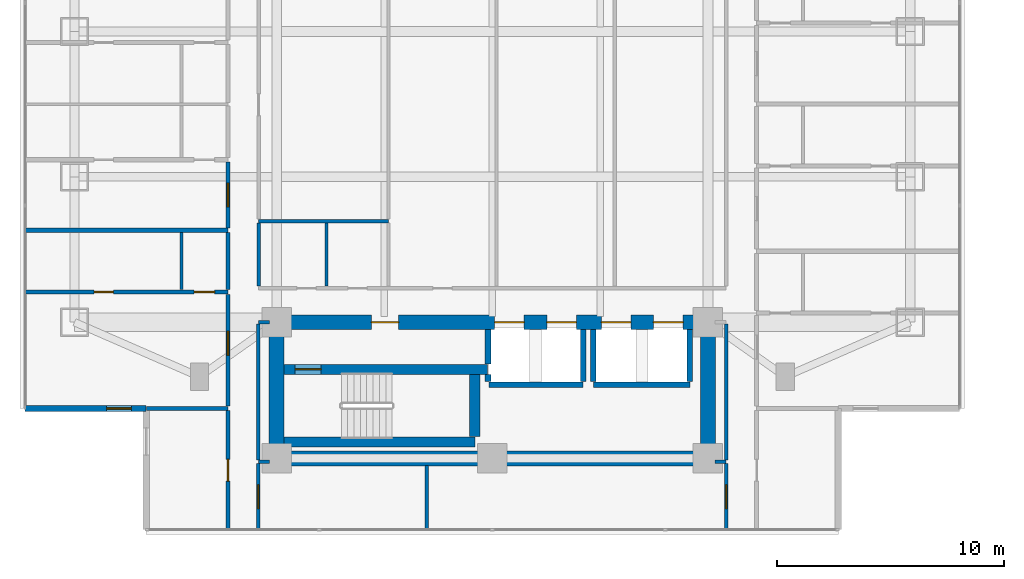
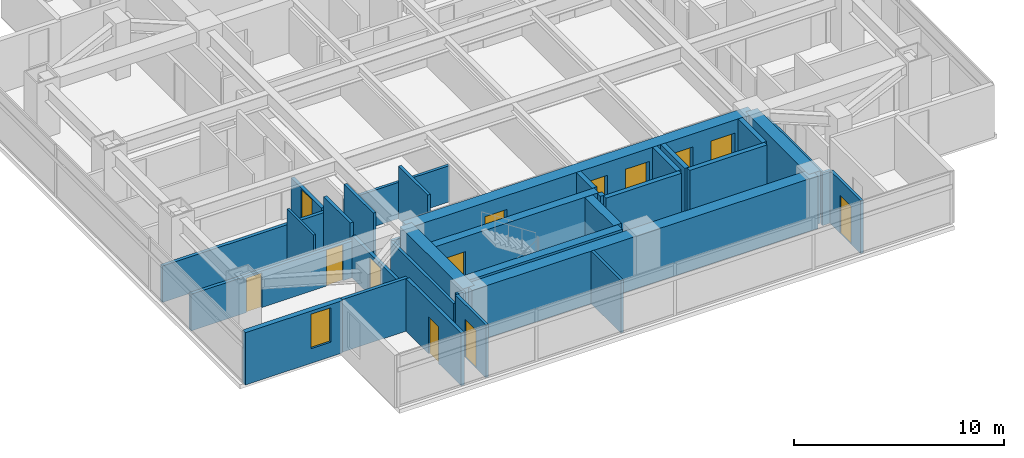
# One storey, part 14 of 27: 34 walls, 13 doors, 1 window, 14 openings.
"""IFC4 building model written with IfcOpenShell, lengths in metres."""

from ifc_helpers import new_model, si_unit, direction, frame, frame_2d, origin, place, context, subcontext, project, spatial, rectangle, extrude, material, layer, layer_set, type_object, element, fill, save


model = new_model("IFC4")

# Units and contexts
model_context = context("Model", 3, precision=1e-05, world=origin(), true_north=direction((0.0, 1.0)))
body_context = subcontext(model_context, "Body", "Model", "MODEL_VIEW")
ifc_project = project(units=[si_unit("LENGTHUNIT", "METRE"), si_unit("AREAUNIT", "SQUARE_METRE"), si_unit("VOLUMEUNIT", "CUBIC_METRE"), si_unit("PLANEANGLEUNIT", "RADIAN"), si_unit("MASSUNIT", "GRAM", prefix="KILO")], contexts=[model_context])

# Site, building, storey
site_placement = place(None, origin())
site = spatial("IfcSite", under=ifc_project, at=site_placement, CompositionType="ELEMENT")
building_placement = place(site_placement, origin())
building = spatial("IfcBuilding", under=site, at=building_placement, Name="Mirazonda Arch Towers", CompositionType="ELEMENT")
storey_placement = place(building_placement, frame((0.0, 0.0, 52.10009765625)))
storey = spatial("IfcBuildingStorey", under=building, at=storey_placement, Name="L14", CompositionType="ELEMENT", Elevation=52.10009765625)

# Wall
ifc_material_1 = material(Name="Concrete C50/60", Category="concrete")
ifc_layer_1 = layer(ifc_material_1, 0.449951171875, Name="WALL-CORE-450")
ifc_layer_set_1 = layer_set([ifc_layer_1], Name="Concrete C50/60")
wall_type_1 = type_object("IfcWallType", Name="WALL-CORE-450", PredefinedType="SHEAR", material=ifc_layer_set_1)
wall_1_placement = place(storey_placement, frame((11.320068359375, 13.1201171875, 0.0), z_axis=(0.0, 0.0, 1.0), x_axis=(1.0, 0.0, 0.0)))
element("IfcWall", 1, at=wall_1_placement, inside=storey, type_object=wall_type_1, Name="L14 Stair Core Shear Wall 003", PredefinedType="SHEAR", context=body_context, shape_type="SweptSolid", body=[
    extrude(rectangle(XDim=8.409912109375, YDim=0.449951171875, at=frame_2d((4.205078125, 0.0))), origin(), (0.0, 0.0, 1.0), 3.059814453125),
])

# Wall, opening, door
wall_2_placement = place(storey_placement, frame((11.320068359375, 16.320068359375, 0.0), z_axis=(0.0, 0.0, 1.0), x_axis=(1.0, 0.0, 0.0)))
wall_2 = element("IfcWall", 2, at=wall_2_placement, inside=storey, type_object=wall_type_1, Name="L14 Stair Core Shear Wall 008", PredefinedType="SHEAR", context=body_context, shape_type="SweptSolid", body=[
    extrude(rectangle(XDim=8.9599609375, YDim=0.449951171875, at=frame_2d((4.47998046875, 0.0))), origin(), (0.0, 0.0, 1.0), 3.059814453125),
])
opening_1_placement = place(wall_2_placement, frame((0.4951171875, 0.0, 0.0)))
opening_1 = element("IfcOpeningElement", 3, at=opening_1_placement, cuts=wall_2, Name="Opening DR-135", PredefinedType="OPENING", context=body_context, shape_type="SweptSolid", body=[
    extrude(rectangle(XDim=1.14990234375, YDim=2.199951171875, at=frame_2d((0.574951171875, 1.10009765625))), frame((0.0, 0.23486328125, 0.0), z_axis=(0.0, -1.0, 0.0), x_axis=(1.0, 0.0, 0.0)), (0.0, 0.0, 1.0), 0.469970703125),
])
ifc_material_2 = material(Name="Architectural Brushed Steel S355", Category="steel")
door_type_1 = type_object("IfcDoorType", Name="DOOR-STAIR-FD90-1150", OperationType="NOTDEFINED", PredefinedType="DOOR", material=ifc_material_2)
door_1_placement = place(opening_1_placement, origin())
door_1 = element("IfcDoor", 4, at=door_1_placement, inside=storey, type_object=door_type_1, Name="L14 Protected Exit Stair South Door", OperationType="SINGLE_SWING_LEFT", OverallHeight=2.199951171875, OverallWidth=1.14990234375, PredefinedType="DOOR", context=body_context, shape_type="SweptSolid", body=[
    extrude(rectangle(XDim=1.14990234375, YDim=2.199951171875, at=frame_2d((0.574951171875, 1.10009765625))), frame((0.0, 0.02490234375, 0.0), z_axis=(0.0, -1.0, 0.0), x_axis=(1.0, 0.0, 0.0)), (0.0, 0.0, 1.0), 0.050048828125),
])
fill(opening_1, door_1)

# Walls
wall_3_placement = place(storey_placement, frame((19.72998046875, 13.35498046875, 0.0), z_axis=(0.0, 0.0, 1.0), x_axis=(0.0, 1.0, 0.0)))
element("IfcWall", 5, at=wall_3_placement, inside=storey, type_object=wall_type_1, Name="L14 Stair Core Shear Wall 087", PredefinedType="SHEAR", context=body_context, shape_type="SweptSolid", body=[
    extrude(rectangle(XDim=2.72998046875, YDim=0.449951171875, at=frame_2d((1.364990234375, 0.0))), origin(), (0.0, 0.0, 1.0), 3.059814453125),
])
ifc_material_3 = material(Name="Concrete C60/75", Category="concrete")
ifc_layer_2 = layer(ifc_material_3, 0.64990234375, Name="WALL-CORE-650")
ifc_layer_set_2 = layer_set([ifc_layer_2], Name="Concrete C60/75")
wall_type_2 = type_object("IfcWallType", Name="WALL-CORE-650", PredefinedType="SHEAR", material=ifc_layer_set_2)
wall_4_placement = place(storey_placement, frame((11.0, 12.39990234375, 0.0), z_axis=(0.0, 0.0, 1.0), x_axis=(1.0, 0.0, 0.0)))
element("IfcWall", 6, at=wall_4_placement, inside=storey, type_object=wall_type_2, Name="L14 T1S-S Core Shear Wall", PredefinedType="SHEAR", context=body_context, shape_type="SweptSolid", body=[
    extrude(rectangle(XDim=19.0, YDim=0.64990234375, at=frame_2d((9.5, 0.0))), origin(), (0.0, 0.0, 1.0), 3.059814453125),
])
for number, where, z_axis, x_axis, name in (
    (7, (11.0, 12.39990234375, 0.0), (0.0, 0.0, 1.0), (0.0, 1.0, 0.0), "L14 T1S-W Core Shear Wall"),
    (8, (30.0, 12.39990234375, 0.0), (0.0, 0.0, 1.0), (0.0, 1.0, 0.0), "L14 T1S-E Core Shear Wall"),
):
    element("IfcWall", number, at=place(storey_placement, frame(where, z_axis=z_axis, x_axis=x_axis)), inside=storey, type_object=wall_type_2, Name=name, PredefinedType="SHEAR", context=body_context, shape_type="SweptSolid", body=[
        extrude(rectangle(XDim=6.0, YDim=0.64990234375, at=frame_2d((3.0, 0.0))), origin(), (0.0, 0.0, 1.0), 3.059814453125),
    ])

# Wall, openings, doors
wall_5_placement = place(storey_placement, frame((11.0, 18.39990234375, 0.0), z_axis=(0.0, 0.0, 1.0), x_axis=(1.0, 0.0, 0.0)))
wall_5 = element("IfcWall", 9, at=wall_5_placement, inside=storey, type_object=wall_type_2, Name="L14 T1S-N Core Shear Wall", PredefinedType="SHEAR", context=body_context, shape_type="SweptSolid", body=[
    extrude(rectangle(XDim=19.0, YDim=0.64990234375, at=frame_2d((9.5, 0.0))), origin(), (0.0, 0.0, 1.0), 3.059814453125),
])
opening_2_placement = place(wall_5_placement, frame((4.175048828125, 0.0, 0.0)))
opening_2 = element("IfcOpeningElement", 10, at=opening_2_placement, cuts=wall_5, Name="Opening DR-117", PredefinedType="OPENING", context=body_context, shape_type="SweptSolid", body=[
    extrude(rectangle(XDim=1.199951171875, YDim=2.25, at=frame_2d((0.60009765625, 1.125))), frame((0.0, 0.3349609375, 0.0), z_axis=(0.0, -1.0, 0.0), x_axis=(1.0, 0.0, 0.0)), (0.0, 0.0, 1.0), 0.669921875),
])
opening_3_placement = place(wall_5_placement, frame((9.60009765625, 0.0, 0.0)))
opening_3 = element("IfcOpeningElement", 11, at=opening_3_placement, cuts=wall_5, Name="Opening LD-111", PredefinedType="OPENING", context=body_context, shape_type="SweptSolid", body=[
    extrude(rectangle(XDim=1.300048828125, YDim=2.300048828125, at=frame_2d((0.64990234375, 1.14990234375))), frame((0.0, 0.3349609375, 0.0), z_axis=(0.0, -1.0, 0.0), x_axis=(1.0, 0.0, 0.0)), (0.0, 0.0, 1.0), 0.669921875),
])
opening_4_placement = place(wall_5_placement, frame((11.89990234375, 0.0, 0.0)))
opening_4 = element("IfcOpeningElement", 12, at=opening_4_placement, cuts=wall_5, Name="Opening LD-111", PredefinedType="OPENING", context=body_context, shape_type="SweptSolid", body=[
    extrude(rectangle(XDim=1.300048828125, YDim=2.300048828125, at=frame_2d((0.64990234375, 1.14990234375))), frame((0.0, 0.3349609375, 0.0), z_axis=(0.0, -1.0, 0.0), x_axis=(1.0, 0.0, 0.0)), (0.0, 0.0, 1.0), 0.669921875),
])
opening_5_placement = place(wall_5_placement, frame((14.300048828125, 0.0, 0.0)))
opening_5 = element("IfcOpeningElement", 13, at=opening_5_placement, cuts=wall_5, Name="Opening LD-111", PredefinedType="OPENING", context=body_context, shape_type="SweptSolid", body=[
    extrude(rectangle(XDim=1.300048828125, YDim=2.300048828125, at=frame_2d((0.64990234375, 1.14990234375))), frame((0.0, 0.3349609375, 0.0), z_axis=(0.0, -1.0, 0.0), x_axis=(1.0, 0.0, 0.0)), (0.0, 0.0, 1.0), 0.669921875),
])
opening_6_placement = place(wall_5_placement, frame((16.60009765625, 0.0, 0.0)))
opening_6 = element("IfcOpeningElement", 14, at=opening_6_placement, cuts=wall_5, Name="Opening LD-111", PredefinedType="OPENING", context=body_context, shape_type="SweptSolid", body=[
    extrude(rectangle(XDim=1.300048828125, YDim=2.300048828125, at=frame_2d((0.64990234375, 1.14990234375))), frame((0.0, 0.3349609375, 0.0), z_axis=(0.0, -1.0, 0.0), x_axis=(1.0, 0.0, 0.0)), (0.0, 0.0, 1.0), 0.669921875),
])
door_type_2 = type_object("IfcDoorType", Name="DOOR-FFL-FD90-1200", OperationType="NOTDEFINED", PredefinedType="DOOR", material=ifc_material_2)
door_2_placement = place(opening_2_placement, origin())
door_2 = element("IfcDoor", 15, at=door_2_placement, inside=storey, type_object=door_type_2, Name="L14 South Core Stair & Lift Lobby Door", OperationType="SINGLE_SWING_RIGHT", OverallHeight=2.25, OverallWidth=1.199951171875, PredefinedType="DOOR", context=body_context, shape_type="SweptSolid", body=[
    extrude(rectangle(XDim=1.199951171875, YDim=2.25, at=frame_2d((0.60009765625, 1.125))), frame((0.0, 0.02490234375, 0.0), z_axis=(0.0, -1.0, 0.0), x_axis=(1.0, 0.0, 0.0)), (0.0, 0.0, 1.0), 0.050048828125),
])
fill(opening_2, door_2)
door_type_3 = type_object("IfcDoorType", Name="DOOR-LIFT-LAND-1300", OperationType="NOTDEFINED", PredefinedType="DOOR", material=ifc_material_2)
door_3_placement = place(opening_3_placement, origin())
door_3 = element("IfcDoor", 16, at=door_3_placement, inside=storey, type_object=door_type_3, Name="L14 Lift Landing Sliding Door PL-T1M1", OperationType="DOUBLE_DOOR_SLIDING", OverallHeight=2.300048828125, OverallWidth=1.300048828125, PredefinedType="DOOR", context=body_context, shape_type="SweptSolid", body=[
    extrude(rectangle(XDim=1.300048828125, YDim=2.300048828125, at=frame_2d((0.64990234375, 1.14990234375))), frame((0.0, 0.02490234375, 0.0), z_axis=(0.0, -1.0, 0.0), x_axis=(1.0, 0.0, 0.0)), (0.0, 0.0, 1.0), 0.050048828125),
])
fill(opening_3, door_3)
door_4_placement = place(opening_4_placement, origin())
door_4 = element("IfcDoor", 17, at=door_4_placement, inside=storey, type_object=door_type_3, Name="L14 Lift Landing Sliding Door PL-T1M2", OperationType="DOUBLE_DOOR_SLIDING", OverallHeight=2.300048828125, OverallWidth=1.300048828125, PredefinedType="DOOR", context=body_context, shape_type="SweptSolid", body=[
    extrude(rectangle(XDim=1.300048828125, YDim=2.300048828125, at=frame_2d((0.64990234375, 1.14990234375))), frame((0.0, 0.02490234375, 0.0), z_axis=(0.0, -1.0, 0.0), x_axis=(1.0, 0.0, 0.0)), (0.0, 0.0, 1.0), 0.050048828125),
])
fill(opening_4, door_4)
door_5_placement = place(opening_5_placement, origin())
door_5 = element("IfcDoor", 18, at=door_5_placement, inside=storey, type_object=door_type_3, Name="L14 Lift Landing Sliding Door PL-T1H1", OperationType="DOUBLE_DOOR_SLIDING", OverallHeight=2.300048828125, OverallWidth=1.300048828125, PredefinedType="DOOR", context=body_context, shape_type="SweptSolid", body=[
    extrude(rectangle(XDim=1.300048828125, YDim=2.300048828125, at=frame_2d((0.64990234375, 1.14990234375))), frame((0.0, 0.02490234375, 0.0), z_axis=(0.0, -1.0, 0.0), x_axis=(1.0, 0.0, 0.0)), (0.0, 0.0, 1.0), 0.050048828125),
])
fill(opening_5, door_5)
door_6_placement = place(opening_6_placement, origin())
door_6 = element("IfcDoor", 19, at=door_6_placement, inside=storey, type_object=door_type_3, Name="L14 Lift Landing Sliding Door PL-T1H2", OperationType="DOUBLE_DOOR_SLIDING", OverallHeight=2.300048828125, OverallWidth=1.300048828125, PredefinedType="DOOR", context=body_context, shape_type="SweptSolid", body=[
    extrude(rectangle(XDim=1.300048828125, YDim=2.300048828125, at=frame_2d((0.64990234375, 1.14990234375))), frame((0.0, 0.02490234375, 0.0), z_axis=(0.0, -1.0, 0.0), x_axis=(1.0, 0.0, 0.0)), (0.0, 0.0, 1.0), 0.050048828125),
])
fill(opening_6, door_6)

# Wall, opening, window
ifc_material_4 = material(Name="Precast Concrete C40/50", Category="concrete")
ifc_layer_3 = layer(ifc_material_4, 0.280029296875, Name="WALL-EXT-WALL-280")
ifc_layer_set_3 = layer_set([ifc_layer_3], Name="Precast Concrete C40/50")
wall_type_3 = type_object("IfcWallType", Name="WALL-EXT-WALL-280", PredefinedType="SOLIDWALL", material=ifc_layer_set_3)
wall_6_placement = place(storey_placement, frame((-0.080078125, 14.60009765625, 0.0), z_axis=(0.0, 0.0, 1.0), x_axis=(1.0, 0.0, 0.0)))
wall_6 = element("IfcWall", 20, at=wall_6_placement, inside=storey, type_object=wall_type_3, Name="L14 T1 Corner Notch Return Wall WL-L14-T1-CSW2", PredefinedType="SOLIDWALL", context=body_context, shape_type="SweptSolid", body=[
    extrude(rectangle(XDim=5.340087890625, YDim=0.280029296875, at=frame_2d((2.669921875, 0.0))), origin(), (0.0, 0.0, 1.0), 3.039794921875),
])
opening_7_placement = place(wall_6_placement, frame((3.590087890625, 0.0, 0.85009765625)))
opening_7 = element("IfcOpeningElement", 21, at=opening_7_placement, cuts=wall_6, Name="Opening WN-108", PredefinedType="OPENING", context=body_context, shape_type="SweptSolid", body=[
    extrude(rectangle(XDim=1.10009765625, YDim=2.0, at=frame_2d((0.550048828125, 1.0))), frame((0.0, 0.14990234375, 0.0), z_axis=(0.0, -1.0, 0.0), x_axis=(1.0, 0.0, 0.0)), (0.0, 0.0, 1.0), 0.300048828125),
])
ifc_material_5 = material(Name="Insulated Low-E Solar Glass", Category="glass")
window_type = type_object("IfcWindowType", Name="WIN-NOTCH-1100x2000", PartitioningType="SINGLE_PANEL", PredefinedType="WINDOW", material=ifc_material_5)
window_placement = place(opening_7_placement, origin())
window = element("IfcWindow", 22, at=window_placement, inside=storey, type_object=window_type, Name="L14 Punched Facade Window WN-L14-T1-CSW2", OverallHeight=2.0, OverallWidth=1.10009765625, PartitioningType="SINGLE_PANEL", PredefinedType="WINDOW", context=body_context, shape_type="SweptSolid", body=[
    extrude(rectangle(XDim=1.10009765625, YDim=2.0, at=frame_2d((0.550048828125, 1.0))), frame((0.0, 0.030029296875, 0.0), z_axis=(0.0, -1.0, 0.0), x_axis=(1.0, 0.0, 0.0)), (0.0, 0.0, 1.0), 0.06005859375),
])
fill(opening_7, window)

# Walls
ifc_material_6 = material(Name="Fire-Rated Gypsum Stud Partition")
ifc_layer_4 = layer(ifc_material_6, 0.14990234375, Name="WALL-PART-CORR-150")
ifc_layer_set_4 = layer_set([ifc_layer_4], Name="Fire-Rated Gypsum Stud Partition")
wall_type_4 = type_object("IfcWallType", Name="WALL-PART-CORR-150", PredefinedType="PARTITIONING", material=ifc_layer_set_4)
for number, where, z_axis, x_axis, name in (
    (23, (10.199951171875, 12.25, 0.0), (0.0, 0.0, 1.0), (1.0, 0.0, 0.0), "L14 Interior Partition 001"),
    (24, (30.320068359375, 12.25, 0.0), (0.0, 0.0, 1.0), (1.0, 0.0, 0.0), "L14 Interior Partition 002"),
):
    element("IfcWall", number, at=place(storey_placement, frame(where, z_axis=z_axis, x_axis=x_axis)), inside=storey, type_object=wall_type_4, Name=name, PredefinedType="PARTITIONING", context=body_context, shape_type="SweptSolid", body=[
        extrude(rectangle(XDim=0.47998046875, YDim=0.14990234375, at=frame_2d((0.239990234375, 0.0))), origin(), (0.0, 0.0, 1.0), 3.059814453125),
    ])
wall_7_placement = place(storey_placement, frame((10.199951171875, 18.39990234375, 0.0), z_axis=(0.0, 0.0, 1.0), x_axis=(1.0, 0.0, 0.0)))
element("IfcWall", 25, at=wall_7_placement, inside=storey, type_object=wall_type_4, Name="L14 Interior Partition 012", PredefinedType="PARTITIONING", context=body_context, shape_type="SweptSolid", body=[
    extrude(rectangle(XDim=0.47998046875, YDim=0.14990234375, at=frame_2d((0.239990234375, 0.0))), origin(), (0.0, 0.0, 1.0), 2.435791015625),
])
wall_8_placement = place(storey_placement, frame((10.199951171875, 22.85009765625, 0.0), z_axis=(0.0, 0.0, 1.0), x_axis=(1.0, 0.0, 0.0)))
element("IfcWall", 26, at=wall_8_placement, inside=storey, type_object=wall_type_4, Name="L14 Interior Partition 025", PredefinedType="PARTITIONING", context=body_context, shape_type="SweptSolid", body=[
    extrude(rectangle(XDim=5.72998046875, YDim=0.14990234375, at=frame_2d((2.864990234375, 0.0))), origin(), (0.0, 0.0, 1.0), 2.10400390625),
])

# Wall, opening, door
wall_9_placement = place(storey_placement, frame((10.199951171875, 9.260009765625, 0.0), z_axis=(0.0, 0.0, 1.0), x_axis=(0.0, 1.0, 0.0)))
wall_9 = element("IfcWall", 27, at=wall_9_placement, inside=storey, type_object=wall_type_4, Name="L14 Interior Partition 074", PredefinedType="PARTITIONING", context=body_context, shape_type="SweptSolid", body=[
    extrude(rectangle(XDim=2.905029296875, YDim=0.14990234375, at=frame_2d((1.45263671875, 0.0))), origin(), (0.0, 0.0, 1.0), 3.059814453125),
])
opening_8_placement = place(wall_9_placement, frame((0.927490234375, 0.0, 0.0)))
opening_8 = element("IfcOpeningElement", 28, at=opening_8_placement, cuts=wall_9, Name="Opening DR-121", PredefinedType="OPENING", context=body_context, shape_type="SweptSolid", body=[
    extrude(rectangle(XDim=1.050048828125, YDim=2.199951171875, at=frame_2d((0.52490234375, 1.10009765625))), frame((0.0, 0.0849609375, 0.0), z_axis=(0.0, -1.0, 0.0), x_axis=(1.0, 0.0, 0.0)), (0.0, 0.0, 1.0), 0.169921875),
])
door_type_4 = type_object("IfcDoorType", Name="DOOR-SUITE-FD60-1050", OperationType="NOTDEFINED", PredefinedType="DOOR", material=ifc_material_2)
door_7_placement = place(opening_8_placement, origin())
door_7 = element("IfcDoor", 29, at=door_7_placement, inside=storey, type_object=door_type_4, Name="L14 South Horizon Lounge Minor Door", OperationType="SINGLE_SWING_LEFT", OverallHeight=2.199951171875, OverallWidth=1.050048828125, PredefinedType="DOOR", context=body_context, shape_type="SweptSolid", body=[
    extrude(rectangle(XDim=1.050048828125, YDim=2.199951171875, at=frame_2d((0.52490234375, 1.10009765625))), frame((0.0, 0.02490234375, 0.0), z_axis=(0.0, -1.0, 0.0), x_axis=(1.0, 0.0, 0.0)), (0.0, 0.0, 1.0), 0.050048828125),
])
fill(opening_8, door_7)

# Walls
wall_10_placement = place(storey_placement, frame((10.199951171875, 12.3349609375, 0.0), z_axis=(0.0, 0.0, 1.0), x_axis=(0.0, 1.0, 0.0)))
element("IfcWall", 30, at=wall_10_placement, inside=storey, type_object=wall_type_4, Name="L14 Interior Partition 075", PredefinedType="PARTITIONING", context=body_context, shape_type="SweptSolid", body=[
    extrude(rectangle(XDim=5.97998046875, YDim=0.14990234375, at=frame_2d((2.989990234375, 0.0))), origin(), (0.0, 0.0, 1.0), 2.435791015625),
])
for number, where, z_axis, x_axis, name in (
    (31, (10.206787109375, 19.985107421875, 0.0), (0.0, 0.0, 1.0), (0.0, 1.0, 0.0), "L14 Interior Partition 076"),
    (32, (13.199951171875, 19.985107421875, 0.0), (0.0, 0.0, 1.0), (0.0, 1.0, 0.0), "L14 Interior Partition 081"),
):
    element("IfcWall", number, at=place(storey_placement, frame(where, z_axis=z_axis, x_axis=x_axis)), inside=storey, type_object=wall_type_4, Name=name, PredefinedType="PARTITIONING", context=body_context, shape_type="SweptSolid", body=[
        extrude(rectangle(XDim=2.77978515625, YDim=0.14990234375, at=frame_2d((1.389892578125, 0.0))), origin(), (0.0, 0.0, 1.0), 3.059814453125),
    ])
wall_11_placement = place(storey_placement, frame((17.615966796875, 9.260009765625, 0.0), z_axis=(0.0, 0.0, 1.0), x_axis=(0.0, 1.0, 0.0)))
element("IfcWall", 33, at=wall_11_placement, inside=storey, type_object=wall_type_4, Name="L14 Interior Partition 085", PredefinedType="PARTITIONING", context=body_context, shape_type="SweptSolid", body=[
    extrude(rectangle(XDim=2.820068359375, YDim=0.14990234375, at=frame_2d((1.41015625, 0.0))), origin(), (0.0, 0.0, 1.0), 3.059814453125),
])

# Wall, opening, door
wall_12_placement = place(storey_placement, frame((30.800048828125, 9.260009765625, 0.0), z_axis=(0.0, 0.0, 1.0), x_axis=(0.0, 1.0, 0.0)))
wall_12 = element("IfcWall", 34, at=wall_12_placement, inside=storey, type_object=wall_type_4, Name="L14 Interior Partition 102", PredefinedType="PARTITIONING", context=body_context, shape_type="SweptSolid", body=[
    extrude(rectangle(XDim=2.905029296875, YDim=0.14990234375, at=frame_2d((1.45263671875, 0.0))), origin(), (0.0, 0.0, 1.0), 3.059814453125),
])
opening_9_placement = place(wall_12_placement, frame((0.927490234375, 0.0, 0.0)))
opening_9 = element("IfcOpeningElement", 35, at=opening_9_placement, cuts=wall_12, Name="Opening DR-121", PredefinedType="OPENING", context=body_context, shape_type="SweptSolid", body=[
    extrude(rectangle(XDim=1.050048828125, YDim=2.199951171875, at=frame_2d((0.52490234375, 1.10009765625))), frame((0.0, 0.0849609375, 0.0), z_axis=(0.0, -1.0, 0.0), x_axis=(1.0, 0.0, 0.0)), (0.0, 0.0, 1.0), 0.169921875),
])
door_8_placement = place(opening_9_placement, origin())
door_8 = element("IfcDoor", 36, at=door_8_placement, inside=storey, type_object=door_type_4, Name="L14 South Horizon Lounge Grand Door", OperationType="SINGLE_SWING_RIGHT", OverallHeight=2.199951171875, OverallWidth=1.050048828125, PredefinedType="DOOR", context=body_context, shape_type="SweptSolid", body=[
    extrude(rectangle(XDim=1.050048828125, YDim=2.199951171875, at=frame_2d((0.52490234375, 1.10009765625))), frame((0.0, 0.02490234375, 0.0), z_axis=(0.0, -1.0, 0.0), x_axis=(1.0, 0.0, 0.0)), (0.0, 0.0, 1.0), 0.050048828125),
])
fill(opening_9, door_8)

# Walls
wall_13_placement = place(storey_placement, frame((30.800048828125, 12.3349609375, 0.0), z_axis=(0.0, 0.0, 1.0), x_axis=(0.0, 1.0, 0.0)))
element("IfcWall", 37, at=wall_13_placement, inside=storey, type_object=wall_type_4, Name="L14 Interior Partition 103", PredefinedType="PARTITIONING", context=body_context, shape_type="SweptSolid", body=[
    extrude(rectangle(XDim=5.97998046875, YDim=0.14990234375, at=frame_2d((2.989990234375, 0.0))), origin(), (0.0, 0.0, 1.0), 2.435791015625),
])
ifc_material_7 = material(Name="Fire-Rated Gypsum Twin-Stud Assembly")
ifc_layer_5 = layer(ifc_material_7, 0.179931640625, Name="WALL-PART-DEMISE-180")
ifc_layer_set_5 = layer_set([ifc_layer_5], Name="Fire-Rated Gypsum Twin-Stud Assembly")
wall_type_5 = type_object("IfcWallType", Name="WALL-PART-DEMISE-180", PredefinedType="PARTITIONING", material=ifc_layer_set_5)
wall_14_placement = place(storey_placement, frame((5.280029296875, 14.60009765625, 0.0), z_axis=(0.0, 0.0, 1.0), x_axis=(1.0, 0.0, 0.0)))
element("IfcWall", 38, at=wall_14_placement, inside=storey, type_object=wall_type_5, Name="L14 Interior Partition 004", PredefinedType="PARTITIONING", context=body_context, shape_type="SweptSolid", body=[
    extrude(rectangle(XDim=3.580078125, YDim=0.179931640625, at=frame_2d((1.7900390625, 0.0))), origin(), (0.0, 0.0, 1.0), 3.059814453125),
])

# Wall, openings, doors
wall_15_placement = place(storey_placement, frame((-0.080078125, 19.72998046875, 0.0), z_axis=(0.0, 0.0, 1.0), x_axis=(1.0, 0.0, 0.0)))
wall_15 = element("IfcWall", 39, at=wall_15_placement, inside=storey, type_object=wall_type_5, Name="L14 Interior Partition 016", PredefinedType="PARTITIONING", context=body_context, shape_type="SweptSolid", body=[
    extrude(rectangle(XDim=8.940185546875, YDim=0.179931640625, at=frame_2d((4.47021484375, 0.0))), origin(), (0.0, 0.0, 1.0), 2.125),
])
opening_10_placement = place(wall_15_placement, frame((3.044921875, 0.0, 0.0)))
opening_10 = element("IfcOpeningElement", 40, at=opening_10_placement, cuts=wall_15, Name="Opening DR-128", PredefinedType="OPENING", context=body_context, shape_type="SweptSolid", body=[
    extrude(rectangle(XDim=0.85009765625, YDim=2.010009765625, at=frame_2d((0.425048828125, 1.0048828125))), frame((0.0, 0.099853515625, 0.0), z_axis=(0.0, -1.0, 0.0), x_axis=(1.0, 0.0, 0.0)), (0.0, 0.0, 1.0), 0.199951171875),
])
opening_11_placement = place(wall_15_placement, frame((7.449951171875, 0.0, 0.0)))
opening_11 = element("IfcOpeningElement", 41, at=opening_11_placement, cuts=wall_15, Name="Opening DR-120", PredefinedType="OPENING", context=body_context, shape_type="SweptSolid", body=[
    extrude(rectangle(XDim=0.89990234375, YDim=2.10009765625, at=frame_2d((0.449951171875, 1.050048828125))), frame((0.0, 0.099853515625, 0.0), z_axis=(0.0, -1.0, 0.0), x_axis=(1.0, 0.0, 0.0)), (0.0, 0.0, 1.0), 0.199951171875),
])
door_type_5 = type_object("IfcDoorType", Name="DOOR-RISER-FD60-850", OperationType="NOTDEFINED", PredefinedType="DOOR", material=ifc_material_2)
door_9_placement = place(opening_10_placement, origin())
door_9 = element("IfcDoor", 42, at=door_9_placement, inside=storey, type_object=door_type_5, Name="L14 Guestroom Study 1 Door", OperationType="SINGLE_SWING_RIGHT", OverallHeight=2.010009765625, OverallWidth=0.85009765625, PredefinedType="DOOR", context=body_context, shape_type="SweptSolid", body=[
    extrude(rectangle(XDim=0.85009765625, YDim=2.010009765625, at=frame_2d((0.425048828125, 1.0048828125))), frame((0.0, 0.02490234375, 0.0), z_axis=(0.0, -1.0, 0.0), x_axis=(1.0, 0.0, 0.0)), (0.0, 0.0, 1.0), 0.050048828125),
])
fill(opening_10, door_9)
door_type_6 = type_object("IfcDoorType", Name="DOOR-WC-900", OperationType="NOTDEFINED", PredefinedType="DOOR", material=ifc_material_2)
door_10_placement = place(opening_11_placement, origin())
door_10 = element("IfcDoor", 43, at=door_10_placement, inside=storey, type_object=door_type_6, Name="L14 En-Suite Bathroom 1 Door", OperationType="SINGLE_SWING_LEFT", OverallHeight=2.10009765625, OverallWidth=0.89990234375, PredefinedType="DOOR", context=body_context, shape_type="SweptSolid", body=[
    extrude(rectangle(XDim=0.89990234375, YDim=2.10009765625, at=frame_2d((0.449951171875, 1.050048828125))), frame((0.0, 0.02490234375, 0.0), z_axis=(0.0, -1.0, 0.0), x_axis=(1.0, 0.0, 0.0)), (0.0, 0.0, 1.0), 0.050048828125),
])
fill(opening_11, door_10)

# Wall
wall_16_placement = place(storey_placement, frame((-0.080078125, 22.449951171875, 0.0), z_axis=(0.0, 0.0, 1.0), x_axis=(1.0, 0.0, 0.0)))
element("IfcWall", 44, at=wall_16_placement, inside=storey, type_object=wall_type_5, Name="L14 Interior Partition 023", PredefinedType="PARTITIONING", context=body_context, shape_type="SweptSolid", body=[
    extrude(rectangle(XDim=8.940185546875, YDim=0.179931640625, at=frame_2d((4.47021484375, 0.0))), origin(), (0.0, 0.0, 1.0), 2.125),
])

# Wall, opening, door
wall_17_placement = place(storey_placement, frame((8.860107421875, 9.260009765625, 0.0), z_axis=(0.0, 0.0, 1.0), x_axis=(0.0, 1.0, 0.0)))
wall_17 = element("IfcWall", 45, at=wall_17_placement, inside=storey, type_object=wall_type_5, Name="L14 Interior Partition 066", PredefinedType="PARTITIONING", context=body_context, shape_type="SweptSolid", body=[
    extrude(rectangle(XDim=5.239990234375, YDim=0.179931640625, at=frame_2d((2.6201171875, 0.0))), origin(), (0.0, 0.0, 1.0), 3.059814453125),
])
opening_12_placement = place(wall_17_placement, frame((2.14501953125, 0.0, 0.0)))
opening_12 = element("IfcOpeningElement", 46, at=opening_12_placement, cuts=wall_17, Name="Opening DR-104", PredefinedType="OPENING", context=body_context, shape_type="SweptSolid", body=[
    extrude(rectangle(XDim=0.949951171875, YDim=2.14990234375, at=frame_2d((0.47509765625, 1.074951171875))), frame((0.0, 0.099853515625, 0.0), z_axis=(0.0, -1.0, 0.0), x_axis=(1.0, 0.0, 0.0)), (0.0, 0.0, 1.0), 0.199951171875),
])
door_type_7 = type_object("IfcDoorType", Name="DOOR-ROOM-950", OperationType="NOTDEFINED", PredefinedType="DOOR", material=ifc_material_2)
door_11_placement = place(opening_12_placement, origin())
door_11 = element("IfcDoor", 47, at=door_11_placement, inside=storey, type_object=door_type_7, Name="L14 South Horizon Lounge Alcove West Door", OperationType="SINGLE_SWING_LEFT", OverallHeight=2.14990234375, OverallWidth=0.949951171875, PredefinedType="DOOR", context=body_context, shape_type="SweptSolid", body=[
    extrude(rectangle(XDim=0.949951171875, YDim=2.14990234375, at=frame_2d((0.47509765625, 1.074951171875))), frame((0.0, 0.02490234375, 0.0), z_axis=(0.0, -1.0, 0.0), x_axis=(1.0, 0.0, 0.0)), (0.0, 0.0, 1.0), 0.050048828125),
])
fill(opening_12, door_11)

wall_18_placement = place(storey_placement, frame((8.860107421875, 14.699951171875, 0.0), z_axis=(0.0, 0.0, 1.0), x_axis=(0.0, 1.0, 0.0)))
wall_18 = element("IfcWall", 48, at=wall_18_placement, inside=storey, type_object=wall_type_5, Name="L14 Interior Partition 067", PredefinedType="PARTITIONING", context=body_context, shape_type="SweptSolid", body=[
    extrude(rectangle(XDim=4.929931640625, YDim=0.179931640625, at=frame_2d((2.46484375, 0.0))), origin(), (0.0, 0.0, 1.0), 2.435791015625),
])
opening_13_placement = place(wall_18_placement, frame((2.239990234375, 0.0, 0.0)))
opening_13 = element("IfcOpeningElement", 49, at=opening_13_placement, cuts=wall_18, Name="Opening DR-121", PredefinedType="OPENING", context=body_context, shape_type="SweptSolid", body=[
    extrude(rectangle(XDim=1.050048828125, YDim=2.199951171875, at=frame_2d((0.52490234375, 1.10009765625))), frame((0.0, 0.099853515625, 0.0), z_axis=(0.0, -1.0, 0.0), x_axis=(1.0, 0.0, 0.0)), (0.0, 0.0, 1.0), 0.199951171875),
])
door_12_placement = place(opening_13_placement, origin())
door_12 = element("IfcDoor", 50, at=door_12_placement, inside=storey, type_object=door_type_4, Name="L14 King Hotel Guestroom 1 Door", OperationType="SINGLE_SWING_LEFT", OverallHeight=2.199951171875, OverallWidth=1.050048828125, PredefinedType="DOOR", context=body_context, shape_type="SweptSolid", body=[
    extrude(rectangle(XDim=1.050048828125, YDim=2.199951171875, at=frame_2d((0.52490234375, 1.10009765625))), frame((0.0, 0.02490234375, 0.0), z_axis=(0.0, -1.0, 0.0), x_axis=(1.0, 0.0, 0.0)), (0.0, 0.0, 1.0), 0.050048828125),
])
fill(opening_13, door_12)

# Wall
wall_19_placement = place(storey_placement, frame((8.860107421875, 19.830078125, 0.0), z_axis=(0.0, 0.0, 1.0), x_axis=(0.0, 1.0, 0.0)))
element("IfcWall", 51, at=wall_19_placement, inside=storey, type_object=wall_type_5, Name="L14 Interior Partition 068", PredefinedType="PARTITIONING", context=body_context, shape_type="SweptSolid", body=[
    extrude(rectangle(XDim=2.52001953125, YDim=0.179931640625, at=frame_2d((1.260009765625, 0.0))), origin(), (0.0, 0.0, 1.0), 3.059814453125),
])

# Wall, opening, door
wall_20_placement = place(storey_placement, frame((8.860107421875, 22.550048828125, 0.0), z_axis=(0.0, 0.0, 1.0), x_axis=(0.0, 1.0, 0.0)))
wall_20 = element("IfcWall", 52, at=wall_20_placement, inside=storey, type_object=wall_type_5, Name="L14 Interior Partition 069", PredefinedType="PARTITIONING", context=body_context, shape_type="SweptSolid", body=[
    extrude(rectangle(XDim=2.90185546875, YDim=0.179931640625, at=frame_2d((1.450927734375, 0.0))), origin(), (0.0, 0.0, 1.0), 2.27880859375),
])
opening_14_placement = place(wall_20_placement, frame((0.926025390625, 0.0, 0.0)))
opening_14 = element("IfcOpeningElement", 53, at=opening_14_placement, cuts=wall_20, Name="Opening DR-121", PredefinedType="OPENING", context=body_context, shape_type="SweptSolid", body=[
    extrude(rectangle(XDim=1.050048828125, YDim=2.199951171875, at=frame_2d((0.52490234375, 1.10009765625))), frame((0.0, 0.099853515625, 0.0), z_axis=(0.0, -1.0, 0.0), x_axis=(1.0, 0.0, 0.0)), (0.0, 0.0, 1.0), 0.199951171875),
])
door_13_placement = place(opening_14_placement, origin())
door_13 = element("IfcDoor", 54, at=door_13_placement, inside=storey, type_object=door_type_4, Name="L14 Twin Hotel Guestroom 2 Door", OperationType="SINGLE_SWING_RIGHT", OverallHeight=2.199951171875, OverallWidth=1.050048828125, PredefinedType="DOOR", context=body_context, shape_type="SweptSolid", body=[
    extrude(rectangle(XDim=1.050048828125, YDim=2.199951171875, at=frame_2d((0.52490234375, 1.10009765625))), frame((0.0, 0.02490234375, 0.0), z_axis=(0.0, -1.0, 0.0), x_axis=(1.0, 0.0, 0.0)), (0.0, 0.0, 1.0), 0.050048828125),
])
fill(opening_14, door_13)

# Walls
ifc_material_8 = material(Name="Acoustic Fire-Rated Gypsum Partition")
ifc_layer_6 = layer(ifc_material_8, 0.125, Name="WALL-PART-UNIT-125")
ifc_layer_set_6 = layer_set([ifc_layer_6], Name="Acoustic Fire-Rated Gypsum Partition")
wall_type_6 = type_object("IfcWallType", Name="WALL-PART-UNIT-125", PredefinedType="PARTITIONING", material=ifc_layer_set_6)
wall_21_placement = place(storey_placement, frame((6.820068359375, 19.830078125, 0.0), z_axis=(0.0, 0.0, 1.0), x_axis=(0.0, 1.0, 0.0)))
element("IfcWall", 55, at=wall_21_placement, inside=storey, type_object=wall_type_6, Name="L14 Interior Partition 063", PredefinedType="PARTITIONING", context=body_context, shape_type="SweptSolid", body=[
    extrude(rectangle(XDim=2.52001953125, YDim=0.125, at=frame_2d((1.260009765625, 0.0))), origin(), (0.0, 0.0, 1.0), 3.059814453125),
])
ifc_material_9 = material(Name="Concrete C40/50", Category="concrete")
ifc_layer_7 = layer(ifc_material_9, 0.25, Name="WALL-SHAFT-250")
ifc_layer_set_7 = layer_set([ifc_layer_7], Name="Concrete C40/50")
wall_type_7 = type_object("IfcWallType", Name="WALL-SHAFT-250", PredefinedType="SOLIDWALL", material=ifc_layer_set_7)
wall_22_placement = place(storey_placement, frame((20.35009765625, 15.64990234375, 0.0), z_axis=(0.0, 0.0, 1.0), x_axis=(1.0, 0.0, 0.0)))
element("IfcWall", 56, at=wall_22_placement, inside=storey, type_object=wall_type_7, Name="L14 Interior Partition 006", PredefinedType="SOLIDWALL", context=body_context, shape_type="SweptSolid", body=[
    extrude(rectangle(XDim=4.14990234375, YDim=0.25, at=frame_2d((2.074951171875, 0.0))), origin(), (0.0, 0.0, 1.0), 3.059814453125),
])
wall_23_placement = place(storey_placement, frame((24.949951171875, 15.64990234375, 0.0), z_axis=(0.0, 0.0, 1.0), x_axis=(1.0, 0.0, 0.0)))
element("IfcWall", 57, at=wall_23_placement, inside=storey, type_object=wall_type_7, Name="L14 Interior Partition 007", PredefinedType="SOLIDWALL", context=body_context, shape_type="SweptSolid", body=[
    extrude(rectangle(XDim=4.25, YDim=0.25, at=frame_2d((2.125, 0.0))), origin(), (0.0, 0.0, 1.0), 3.059814453125),
])
wall_24_placement = place(storey_placement, frame((20.31494140625, 15.784912109375, 0.0), z_axis=(0.0, 0.0, 1.0), x_axis=(0.0, 1.0, 0.0)))
element("IfcWall", 58, at=wall_24_placement, inside=storey, type_object=wall_type_7, Name="L14 Interior Partition 089", PredefinedType="SOLIDWALL", context=body_context, shape_type="SweptSolid", body=[
    extrude(rectangle(XDim=0.300048828125, YDim=0.25, at=frame_2d((0.14990234375, 0.0))), origin(), (0.0, 0.0, 1.0), 3.059814453125),
])
wall_25_placement = place(storey_placement, frame((20.31494140625, 16.554931640625, 0.0), z_axis=(0.0, 0.0, 1.0), x_axis=(0.0, 1.0, 0.0)))
element("IfcWall", 59, at=wall_25_placement, inside=storey, type_object=wall_type_7, Name="L14 Interior Partition 090", PredefinedType="SOLIDWALL", context=body_context, shape_type="SweptSolid", body=[
    extrude(rectangle(XDim=1.525146484375, YDim=0.25, at=frame_2d((0.7626953125, 0.0))), origin(), (0.0, 0.0, 1.0), 3.059814453125),
])
for number, where, z_axis, x_axis, name in (
    (60, (24.5, 15.784912109375, 0.0), (0.0, 0.0, 1.0), (0.0, 1.0, 0.0), "L14 Interior Partition 093"),
    (61, (24.949951171875, 15.784912109375, 0.0), (0.0, 0.0, 1.0), (0.0, 1.0, 0.0), "L14 Interior Partition 095"),
    (62, (29.199951171875, 15.784912109375, 0.0), (0.0, 0.0, 1.0), (0.0, 1.0, 0.0), "L14 Interior Partition 099"),
):
    element("IfcWall", number, at=place(storey_placement, frame(where, z_axis=z_axis, x_axis=x_axis)), inside=storey, type_object=wall_type_7, Name=name, PredefinedType="SOLIDWALL", context=body_context, shape_type="SweptSolid", body=[
        extrude(rectangle(XDim=2.295166015625, YDim=0.25, at=frame_2d((1.1474609375, 0.0))), origin(), (0.0, 0.0, 1.0), 3.059814453125),
    ])

save(model, "model.ifc")
